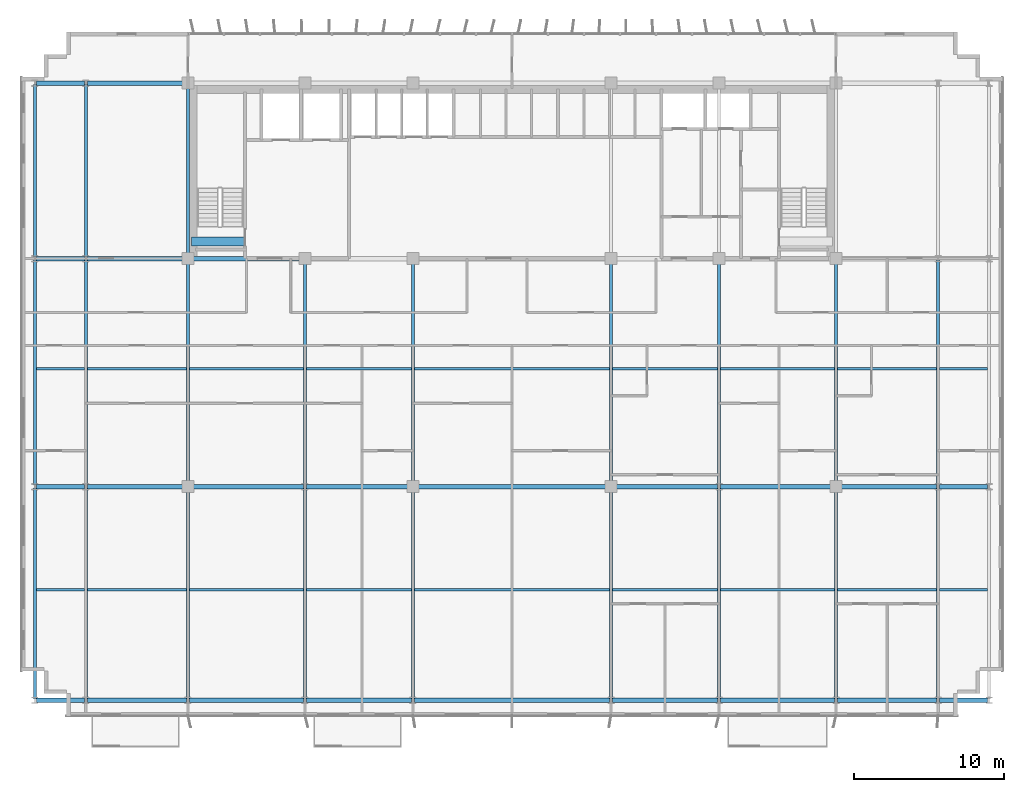
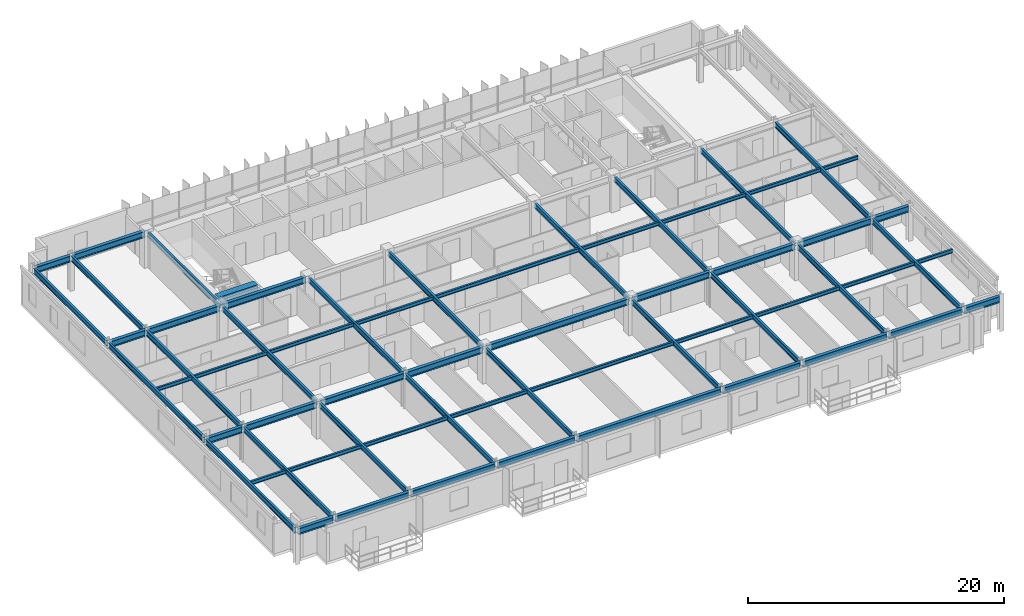
# One storey, part 4 of 21: 63 beams.
"""IFC4 building model written with IfcOpenShell, lengths in metres."""

from ifc_helpers import new_model, si_unit, direction, frame, origin, origin_2d, place, context, subcontext, project, spatial, rectangle, i_section, extrude, source, transform, mapped, material, material_profile, profile_set, type_object, element, save


model = new_model("IFC4")

# Units and contexts
model_context = context("Model", 3, precision=1e-05, world=origin(), true_north=direction((0.0, 1.0)))
body_context = subcontext(model_context, "Body", "Model", "MODEL_VIEW")
ifc_project = project(units=[si_unit("LENGTHUNIT", "METRE"), si_unit("AREAUNIT", "SQUARE_METRE"), si_unit("VOLUMEUNIT", "CUBIC_METRE"), si_unit("PLANEANGLEUNIT", "RADIAN"), si_unit("MASSUNIT", "GRAM", prefix="KILO")], contexts=[model_context])

# Site, building, storey
site_placement = place(None, origin())
site = spatial("IfcSite", under=ifc_project, at=site_placement, CompositionType="ELEMENT")
building_placement = place(site_placement, origin())
building = spatial("IfcBuilding", under=site, at=building_placement, Name="Trelvane Seafront Commons", CompositionType="ELEMENT")
storey_placement = place(building_placement, frame((0.0, 0.0, 110.5)))
storey = spatial("IfcBuildingStorey", under=building, at=storey_placement, Name="L28", CompositionType="ELEMENT", Elevation=110.5)

# Beams
ifc_material_1 = material(Name="Concrete C60/75", Category="concrete")
ifc_material_profile_1 = material_profile(ifc_material_1, rectangle(XDim=0.60009765625, YDim=0.89990234375, at=origin_2d()), Name="RC-600x900")
ifc_profile_set_1 = profile_set([ifc_material_profile_1], Name="Concrete C60/75")
beam_type_1 = type_object("IfcBeamType", Name="STR-LNT-RC600x900", PredefinedType="LINTEL", material=ifc_profile_set_1)
shared_shape_1 = source(origin(), body_context, "Body", "SweptSolid", [
    extrude(rectangle(XDim=0.60009765625, YDim=0.89990234375, at=origin_2d()), origin(), (0.0, 0.0, 1.0), 3.5498046875),
])
beam_1_placement = place(storey_placement, frame((15.85009765625, 34.550048828125, 2.889892578125), z_axis=(1.0, 0.0, 0.0), x_axis=(0.0, 1.0, 0.0)))
element("IfcBeam", 1, at=beam_1_placement, inside=storey, type_object=beam_type_1, Name="L28 Core Coupling Lintel Beam CB-85", PredefinedType="LINTEL", context=body_context, shape_type="MappedRepresentation", body=[
    mapped(shared_shape_1, transform((0.0, 0.0, 0.0), x_axis=(1.0, 0.0, 0.0), y_axis=(0.0, 1.0, 0.0), z_axis=(0.0, 0.0, 1.0), scale=1.0)),
])
ifc_material_2 = material(Name="Steel SM355 (S355)", Category="steel")
ifc_material_profile_2 = material_profile(ifc_material_2, i_section(OverallWidth=0.300048828125, OverallDepth=0.587890625, WebThickness=0.011962890625, FlangeThickness=0.02001953125, at=origin_2d()), Name="H-588x300x12x20")
ifc_profile_set_2 = profile_set([ifc_material_profile_2], Name="Steel SM355 (S355)")
beam_type_2 = type_object("IfcBeamType", Name="STR-BM-H588", PredefinedType="BEAM", material=ifc_profile_set_2)
shared_shape_2 = source(origin(), body_context, "Body", "SweptSolid", [
    extrude(i_section(OverallWidth=0.300048828125, OverallDepth=0.587890625, WebThickness=0.011962890625, FlangeThickness=0.02001953125, at=origin_2d()), origin(), (0.0, 0.0, 1.0), 7.550048828125),
])
beam_2_placement = place(storey_placement, frame((15.75, 18.199951171875, 3.0458984375), z_axis=(1.0, 0.0, 0.0), x_axis=(0.0, 1.0, 0.0)))
element("IfcBeam", 2, at=beam_2_placement, inside=storey, type_object=beam_type_2, Name="L28 Primary Girder G-12", PredefinedType="BEAM", context=body_context, shape_type="MappedRepresentation", body=[
    mapped(shared_shape_2, transform((0.0, 0.0, 0.0), x_axis=(1.0, 0.0, 0.0), y_axis=(0.0, 1.0, 0.0), z_axis=(0.0, 0.0, 1.0), scale=1.0)),
])
shared_shape_3 = source(origin(), body_context, "Body", "SweptSolid", [
    extrude(i_section(OverallWidth=0.300048828125, OverallDepth=0.587890625, WebThickness=0.011962890625, FlangeThickness=0.02001953125, at=origin_2d()), origin(), (0.0, 0.0, 1.0), 3.199951171875),
])
for number, where, z_axis, x_axis, name in (
    (3, (5.5, 3.949951171875, 3.0458984375), (1.0, 0.0, 0.0), (0.0, 1.0, 0.0), "L28 Primary Girder G-01"),
    (4, (65.699951171875, 3.949951171875, 3.0458984375), (1.0, 0.0, 0.0), (0.0, 1.0, 0.0), "L28 Primary Girder G-09"),
    (5, (5.5, 18.199951171875, 3.0458984375), (1.0, 0.0, 0.0), (0.0, 1.0, 0.0), "L28 Primary Girder G-10"),
    (6, (65.699951171875, 18.199951171875, 3.0458984375), (1.0, 0.0, 0.0), (0.0, 1.0, 0.0), "L28 Primary Girder G-18"),
    (7, (5.5, 33.39990234375, 3.0458984375), (1.0, 0.0, 0.0), (0.0, 1.0, 0.0), "L28 Primary Girder G-19"),
    (8, (5.5, 45.10009765625, 3.0458984375), (1.0, 0.0, 0.0), (0.0, 1.0, 0.0), "L28 Primary Girder G-28"),
):
    element("IfcBeam", number, at=place(storey_placement, frame(where, z_axis=z_axis, x_axis=x_axis)), inside=storey, type_object=beam_type_2, Name=name, PredefinedType="BEAM", context=body_context, shape_type="MappedRepresentation", body=[
        mapped(shared_shape_3, transform((0.0, 0.0, 0.0), x_axis=(1.0, 0.0, 0.0), y_axis=(0.0, 1.0, 0.0), z_axis=(0.0, 0.0, 1.0), scale=1.0)),
    ])
shared_shape_4 = source(origin(), body_context, "Body", "SweptSolid", [
    extrude(i_section(OverallWidth=0.300048828125, OverallDepth=0.587890625, WebThickness=0.011962890625, FlangeThickness=0.02001953125, at=origin_2d()), origin(), (0.0, 0.0, 1.0), 6.60009765625),
])
for number, where, z_axis, x_axis, name in (
    (9, (8.89990234375, 3.949951171875, 3.0458984375), (1.0, 0.0, 0.0), (0.0, 1.0, 0.0), "L28 Primary Girder G-02"),
    (10, (58.89990234375, 3.949951171875, 3.0458984375), (1.0, 0.0, 0.0), (0.0, 1.0, 0.0), "L28 Primary Girder G-08"),
):
    element("IfcBeam", number, at=place(storey_placement, frame(where, z_axis=z_axis, x_axis=x_axis)), inside=storey, type_object=beam_type_2, Name=name, PredefinedType="BEAM", context=body_context, shape_type="MappedRepresentation", body=[
        mapped(shared_shape_4, transform((0.0, 0.0, 0.0), x_axis=(1.0, 0.0, 0.0), y_axis=(0.0, 1.0, 0.0), z_axis=(0.0, 0.0, 1.0), scale=1.0)),
    ])
shared_shape_5 = source(origin(), body_context, "Body", "SweptSolid", [
    extrude(i_section(OverallWidth=0.300048828125, OverallDepth=0.587890625, WebThickness=0.011962890625, FlangeThickness=0.02001953125, at=origin_2d()), origin(), (0.0, 0.0, 1.0), 7.60009765625),
])
beam_3_placement = place(storey_placement, frame((15.699951171875, 3.949951171875, 3.0458984375), z_axis=(1.0, 0.0, 0.0), x_axis=(0.0, 1.0, 0.0)))
element("IfcBeam", 11, at=beam_3_placement, inside=storey, type_object=beam_type_2, Name="L28 Primary Girder G-03", PredefinedType="BEAM", context=body_context, shape_type="MappedRepresentation", body=[
    mapped(shared_shape_5, transform((0.0, 0.0, 0.0), x_axis=(1.0, 0.0, 0.0), y_axis=(0.0, 1.0, 0.0), z_axis=(0.0, 0.0, 1.0), scale=1.0)),
])
shared_shape_6 = source(origin(), body_context, "Body", "SweptSolid", [
    extrude(i_section(OverallWidth=0.300048828125, OverallDepth=0.587890625, WebThickness=0.011962890625, FlangeThickness=0.02001953125, at=origin_2d()), origin(), (0.0, 0.0, 1.0), 7.0),
])
for number, where, z_axis, x_axis, name in (
    (12, (23.5, 3.949951171875, 3.0458984375), (1.0, 0.0, 0.0), (0.0, 1.0, 0.0), "L28 Primary Girder G-04"),
    (13, (43.89990234375, 3.949951171875, 3.0458984375), (1.0, 0.0, 0.0), (0.0, 1.0, 0.0), "L28 Primary Girder G-06"),
):
    element("IfcBeam", number, at=place(storey_placement, frame(where, z_axis=z_axis, x_axis=x_axis)), inside=storey, type_object=beam_type_2, Name=name, PredefinedType="BEAM", context=body_context, shape_type="MappedRepresentation", body=[
        mapped(shared_shape_6, transform((0.0, 0.0, 0.0), x_axis=(1.0, 0.0, 0.0), y_axis=(0.0, 1.0, 0.0), z_axis=(0.0, 0.0, 1.0), scale=1.0)),
    ])
shared_shape_7 = source(origin(), body_context, "Body", "SweptSolid", [
    extrude(i_section(OverallWidth=0.300048828125, OverallDepth=0.587890625, WebThickness=0.011962890625, FlangeThickness=0.02001953125, at=origin_2d()), origin(), (0.0, 0.0, 1.0), 13.0),
])
beam_4_placement = place(storey_placement, frame((30.699951171875, 3.949951171875, 3.0458984375), z_axis=(1.0, 0.0, 0.0), x_axis=(0.0, 1.0, 0.0)))
element("IfcBeam", 14, at=beam_4_placement, inside=storey, type_object=beam_type_2, Name="L28 Primary Girder G-05", PredefinedType="BEAM", context=body_context, shape_type="MappedRepresentation", body=[
    mapped(shared_shape_7, transform((0.0, 0.0, 0.0), x_axis=(1.0, 0.0, 0.0), y_axis=(0.0, 1.0, 0.0), z_axis=(0.0, 0.0, 1.0), scale=1.0)),
])
shared_shape_8 = source(origin(), body_context, "Body", "SweptSolid", [
    extrude(i_section(OverallWidth=0.300048828125, OverallDepth=0.587890625, WebThickness=0.011962890625, FlangeThickness=0.02001953125, at=origin_2d()), origin(), (0.0, 0.0, 1.0), 7.599853515625),
])
beam_5_placement = place(storey_placement, frame((51.10009765625, 3.949951171875, 3.0458984375), z_axis=(1.0, 0.0, 0.0), x_axis=(0.0, 1.0, 0.0)))
element("IfcBeam", 15, at=beam_5_placement, inside=storey, type_object=beam_type_2, Name="L28 Primary Girder G-07", PredefinedType="BEAM", context=body_context, shape_type="MappedRepresentation", body=[
    mapped(shared_shape_8, transform((0.0, 0.0, 0.0), x_axis=(1.0, 0.0, 0.0), y_axis=(0.0, 1.0, 0.0), z_axis=(0.0, 0.0, 1.0), scale=1.0)),
])
shared_shape_9 = source(origin(), body_context, "Body", "SweptSolid", [
    extrude(i_section(OverallWidth=0.300048828125, OverallDepth=0.587890625, WebThickness=0.011962890625, FlangeThickness=0.02001953125, at=origin_2d()), origin(), (0.0, 0.0, 1.0), 6.550048828125),
])
for number, where, z_axis, x_axis, name in (
    (16, (8.89990234375, 18.199951171875, 3.0458984375), (1.0, 0.0, 0.0), (0.0, 1.0, 0.0), "L28 Primary Girder G-11"),
    (17, (58.949951171875, 18.199951171875, 3.0458984375), (1.0, 0.0, 0.0), (0.0, 1.0, 0.0), "L28 Primary Girder G-17"),
    (18, (8.89990234375, 33.39990234375, 3.0458984375), (1.0, 0.0, 0.0), (0.0, 1.0, 0.0), "L28 Primary Girder G-20"),
    (19, (8.89990234375, 45.10009765625, 3.0458984375), (1.0, 0.0, 0.0), (0.0, 1.0, 0.0), "L28 Primary Girder G-29"),
):
    element("IfcBeam", number, at=place(storey_placement, frame(where, z_axis=z_axis, x_axis=x_axis)), inside=storey, type_object=beam_type_2, Name=name, PredefinedType="BEAM", context=body_context, shape_type="MappedRepresentation", body=[
        mapped(shared_shape_9, transform((0.0, 0.0, 0.0), x_axis=(1.0, 0.0, 0.0), y_axis=(0.0, 1.0, 0.0), z_axis=(0.0, 0.0, 1.0), scale=1.0)),
    ])
shared_shape_10 = source(origin(), body_context, "Body", "SweptSolid", [
    extrude(i_section(OverallWidth=0.300048828125, OverallDepth=0.587890625, WebThickness=0.011962890625, FlangeThickness=0.02001953125, at=origin_2d()), origin(), (0.0, 0.0, 1.0), 6.949951171875),
])
for number, where, z_axis, x_axis, name in (
    (20, (23.5, 18.199951171875, 3.0458984375), (1.0, 0.0, 0.0), (0.0, 1.0, 0.0), "L28 Primary Girder G-13"),
    (21, (43.949951171875, 18.199951171875, 3.0458984375), (1.0, 0.0, 0.0), (0.0, 1.0, 0.0), "L28 Primary Girder G-15"),
):
    element("IfcBeam", number, at=place(storey_placement, frame(where, z_axis=z_axis, x_axis=x_axis)), inside=storey, type_object=beam_type_2, Name=name, PredefinedType="BEAM", context=body_context, shape_type="MappedRepresentation", body=[
        mapped(shared_shape_10, transform((0.0, 0.0, 0.0), x_axis=(1.0, 0.0, 0.0), y_axis=(0.0, 1.0, 0.0), z_axis=(0.0, 0.0, 1.0), scale=1.0)),
    ])
shared_shape_11 = source(origin(), body_context, "Body", "SweptSolid", [
    extrude(i_section(OverallWidth=0.300048828125, OverallDepth=0.587890625, WebThickness=0.011962890625, FlangeThickness=0.02001953125, at=origin_2d()), origin(), (0.0, 0.0, 1.0), 12.89990234375),
])
beam_6_placement = place(storey_placement, frame((30.75, 18.199951171875, 3.0458984375), z_axis=(1.0, 0.0, 0.0), x_axis=(0.0, 1.0, 0.0)))
element("IfcBeam", 22, at=beam_6_placement, inside=storey, type_object=beam_type_2, Name="L28 Primary Girder G-14", PredefinedType="BEAM", context=body_context, shape_type="MappedRepresentation", body=[
    mapped(shared_shape_11, transform((0.0, 0.0, 0.0), x_axis=(1.0, 0.0, 0.0), y_axis=(0.0, 1.0, 0.0), z_axis=(0.0, 0.0, 1.0), scale=1.0)),
])
shared_shape_12 = source(origin(), body_context, "Body", "SweptSolid", [
    extrude(i_section(OverallWidth=0.300048828125, OverallDepth=0.587890625, WebThickness=0.011962890625, FlangeThickness=0.02001953125, at=origin_2d()), origin(), (0.0, 0.0, 1.0), 7.5498046875),
])
beam_7_placement = place(storey_placement, frame((51.10009765625, 18.199951171875, 3.0458984375), z_axis=(1.0, 0.0, 0.0), x_axis=(0.0, 1.0, 0.0)))
element("IfcBeam", 23, at=beam_7_placement, inside=storey, type_object=beam_type_2, Name="L28 Primary Girder G-16", PredefinedType="BEAM", context=body_context, shape_type="MappedRepresentation", body=[
    mapped(shared_shape_12, transform((0.0, 0.0, 0.0), x_axis=(1.0, 0.0, 0.0), y_axis=(0.0, 1.0, 0.0), z_axis=(0.0, 0.0, 1.0), scale=1.0)),
])
shared_shape_13 = source(origin(), body_context, "Body", "SweptSolid", [
    extrude(i_section(OverallWidth=0.300048828125, OverallDepth=0.587890625, WebThickness=0.011962890625, FlangeThickness=0.02001953125, at=origin_2d()), origin(), (0.0, 0.0, 1.0), 7.5),
])
beam_8_placement = place(storey_placement, frame((15.75, 33.39990234375, 3.0458984375), z_axis=(1.0, 0.0, 0.0), x_axis=(0.0, 1.0, 0.0)))
element("IfcBeam", 24, at=beam_8_placement, inside=storey, type_object=beam_type_2, Name="L28 Primary Girder G-21", PredefinedType="BEAM", context=body_context, shape_type="MappedRepresentation", body=[
    mapped(shared_shape_13, transform((0.0, 0.0, 0.0), x_axis=(1.0, 0.0, 0.0), y_axis=(0.0, 1.0, 0.0), z_axis=(0.0, 0.0, 1.0), scale=1.0)),
])
ifc_material_profile_3 = material_profile(ifc_material_2, i_section(OverallWidth=0.199951171875, OverallDepth=0.5, WebThickness=0.010009765625, FlangeThickness=0.01611328125, at=origin_2d()), Name="H-500x200x10x16")
ifc_profile_set_3 = profile_set([ifc_material_profile_3], Name="Steel SM355 (S355)")
beam_type_3 = type_object("IfcBeamType", Name="STR-BM-H500", PredefinedType="BEAM", material=ifc_profile_set_3)
shared_shape_14 = source(origin(), body_context, "Body", "SweptSolid", [
    extrude(i_section(OverallWidth=0.199951171875, OverallDepth=0.5, WebThickness=0.010009765625, FlangeThickness=0.01611328125, at=origin_2d()), origin(), (0.0, 0.0, 1.0), 14.050048828125),
])
for number, where, z_axis, x_axis, name in (
    (25, (5.39990234375, 4.050048828125, 3.090087890625), (0.0, 1.0, 0.0), (-1.0, 0.0, 0.0), "L28 Primary Girder G-37"),
    (26, (8.800048828125, 4.050048828125, 3.090087890625), (0.0, 1.0, 0.0), (-1.0, 0.0, 0.0), "L28 Primary Girder G-40"),
    (27, (23.39990234375, 4.050048828125, 3.090087890625), (0.0, 1.0, 0.0), (-1.0, 0.0, 0.0), "L28 Primary Girder G-46"),
    (28, (51.0, 4.050048828125, 3.090087890625), (0.0, 1.0, 0.0), (-1.0, 0.0, 0.0), "L28 Primary Girder G-55"),
    (29, (65.60009765625, 4.050048828125, 3.090087890625), (0.0, 1.0, 0.0), (-1.0, 0.0, 0.0), "L28 Primary Girder G-61"),
):
    element("IfcBeam", number, at=place(storey_placement, frame(where, z_axis=z_axis, x_axis=x_axis)), inside=storey, type_object=beam_type_3, Name=name, PredefinedType="BEAM", context=body_context, shape_type="MappedRepresentation", body=[
        mapped(shared_shape_14, transform((0.0, 0.0, 0.0), x_axis=(1.0, 0.0, 0.0), y_axis=(0.0, 1.0, 0.0), z_axis=(0.0, 0.0, 1.0), scale=1.0)),
    ])
shared_shape_15 = source(origin(), body_context, "Body", "SweptSolid", [
    extrude(i_section(OverallWidth=0.199951171875, OverallDepth=0.5, WebThickness=0.010009765625, FlangeThickness=0.01611328125, at=origin_2d()), origin(), (0.0, 0.0, 1.0), 15.0),
])
for number, where, z_axis, x_axis, name in (
    (30, (5.39990234375, 18.300048828125, 3.090087890625), (0.0, 1.0, 0.0), (-1.0, 0.0, 0.0), "L28 Primary Girder G-38"),
    (31, (8.800048828125, 18.300048828125, 3.090087890625), (0.0, 1.0, 0.0), (-1.0, 0.0, 0.0), "L28 Primary Girder G-41"),
    (32, (65.60009765625, 18.300048828125, 3.090087890625), (0.0, 1.0, 0.0), (-1.0, 0.0, 0.0), "L28 Primary Girder G-62"),
):
    element("IfcBeam", number, at=place(storey_placement, frame(where, z_axis=z_axis, x_axis=x_axis)), inside=storey, type_object=beam_type_3, Name=name, PredefinedType="BEAM", context=body_context, shape_type="MappedRepresentation", body=[
        mapped(shared_shape_15, transform((0.0, 0.0, 0.0), x_axis=(1.0, 0.0, 0.0), y_axis=(0.0, 1.0, 0.0), z_axis=(0.0, 0.0, 1.0), scale=1.0)),
    ])
shared_shape_16 = source(origin(), body_context, "Body", "SweptSolid", [
    extrude(i_section(OverallWidth=0.199951171875, OverallDepth=0.5, WebThickness=0.010009765625, FlangeThickness=0.01611328125, at=origin_2d()), origin(), (0.0, 0.0, 1.0), 11.5),
])
for number, where, z_axis, x_axis, name in (
    (33, (5.39990234375, 33.5, 3.090087890625), (0.0, 1.0, 0.0), (-1.0, 0.0, 0.0), "L28 Primary Girder G-39"),
    (34, (8.800048828125, 33.5, 3.090087890625), (0.0, 1.0, 0.0), (-1.0, 0.0, 0.0), "L28 Primary Girder G-42"),
):
    element("IfcBeam", number, at=place(storey_placement, frame(where, z_axis=z_axis, x_axis=x_axis)), inside=storey, type_object=beam_type_3, Name=name, PredefinedType="BEAM", context=body_context, shape_type="MappedRepresentation", body=[
        mapped(shared_shape_16, transform((0.0, 0.0, 0.0), x_axis=(1.0, 0.0, 0.0), y_axis=(0.0, 1.0, 0.0), z_axis=(0.0, 0.0, 1.0), scale=1.0)),
    ])
shared_shape_17 = source(origin(), body_context, "Body", "SweptSolid", [
    extrude(i_section(OverallWidth=0.199951171875, OverallDepth=0.5, WebThickness=0.010009765625, FlangeThickness=0.01611328125, at=origin_2d()), origin(), (0.0, 0.0, 1.0), 14.0),
])
for number, where, z_axis, x_axis, name in (
    (35, (15.60009765625, 4.050048828125, 3.090087890625), (0.0, 1.0, 0.0), (-1.0, 0.0, 0.0), "L28 Primary Girder G-43"),
    (36, (30.60009765625, 4.050048828125, 3.090087890625), (0.0, 1.0, 0.0), (-1.0, 0.0, 0.0), "L28 Primary Girder G-49"),
    (37, (43.800048828125, 4.050048828125, 3.090087890625), (0.0, 1.0, 0.0), (-1.0, 0.0, 0.0), "L28 Primary Girder G-52"),
    (38, (58.800048828125, 4.050048828125, 3.090087890625), (0.0, 1.0, 0.0), (-1.0, 0.0, 0.0), "L28 Primary Girder G-58"),
):
    element("IfcBeam", number, at=place(storey_placement, frame(where, z_axis=z_axis, x_axis=x_axis)), inside=storey, type_object=beam_type_3, Name=name, PredefinedType="BEAM", context=body_context, shape_type="MappedRepresentation", body=[
        mapped(shared_shape_17, transform((0.0, 0.0, 0.0), x_axis=(1.0, 0.0, 0.0), y_axis=(0.0, 1.0, 0.0), z_axis=(0.0, 0.0, 1.0), scale=1.0)),
    ])
shared_shape_18 = source(origin(), body_context, "Body", "SweptSolid", [
    extrude(i_section(OverallWidth=0.199951171875, OverallDepth=0.5, WebThickness=0.010009765625, FlangeThickness=0.01611328125, at=origin_2d()), origin(), (0.0, 0.0, 1.0), 14.89990234375),
])
for number, where, z_axis, x_axis, name in (
    (39, (15.60009765625, 18.35009765625, 3.090087890625), (0.0, 1.0, 0.0), (-1.0, 0.0, 0.0), "L28 Primary Girder G-44"),
    (40, (30.60009765625, 18.35009765625, 3.090087890625), (0.0, 1.0, 0.0), (-1.0, 0.0, 0.0), "L28 Primary Girder G-50"),
    (41, (43.800048828125, 18.35009765625, 3.090087890625), (0.0, 1.0, 0.0), (-1.0, 0.0, 0.0), "L28 Primary Girder G-53"),
    (42, (58.800048828125, 18.35009765625, 3.090087890625), (0.0, 1.0, 0.0), (-1.0, 0.0, 0.0), "L28 Primary Girder G-59"),
):
    element("IfcBeam", number, at=place(storey_placement, frame(where, z_axis=z_axis, x_axis=x_axis)), inside=storey, type_object=beam_type_3, Name=name, PredefinedType="BEAM", context=body_context, shape_type="MappedRepresentation", body=[
        mapped(shared_shape_18, transform((0.0, 0.0, 0.0), x_axis=(1.0, 0.0, 0.0), y_axis=(0.0, 1.0, 0.0), z_axis=(0.0, 0.0, 1.0), scale=1.0)),
    ])
shared_shape_19 = source(origin(), body_context, "Body", "SweptSolid", [
    extrude(i_section(OverallWidth=0.199951171875, OverallDepth=0.5, WebThickness=0.010009765625, FlangeThickness=0.01611328125, at=origin_2d()), origin(), (0.0, 0.0, 1.0), 11.39990234375),
])
beam_9_placement = place(storey_placement, frame((15.60009765625, 33.550048828125, 3.090087890625), z_axis=(0.0, 1.0, 0.0), x_axis=(-1.0, 0.0, 0.0)))
element("IfcBeam", 43, at=beam_9_placement, inside=storey, type_object=beam_type_3, Name="L28 Primary Girder G-45", PredefinedType="BEAM", context=body_context, shape_type="MappedRepresentation", body=[
    mapped(shared_shape_19, transform((0.0, 0.0, 0.0), x_axis=(1.0, 0.0, 0.0), y_axis=(0.0, 1.0, 0.0), z_axis=(0.0, 0.0, 1.0), scale=1.0)),
])
shared_shape_20 = source(origin(), body_context, "Body", "SweptSolid", [
    extrude(i_section(OverallWidth=0.199951171875, OverallDepth=0.5, WebThickness=0.010009765625, FlangeThickness=0.01611328125, at=origin_2d()), origin(), (0.0, 0.0, 1.0), 14.949951171875),
])
for number, where, z_axis, x_axis, name in (
    (44, (23.39990234375, 18.300048828125, 3.090087890625), (0.0, 1.0, 0.0), (-1.0, 0.0, 0.0), "L28 Primary Girder G-47"),
    (45, (51.0, 18.300048828125, 3.090087890625), (0.0, 1.0, 0.0), (-1.0, 0.0, 0.0), "L28 Primary Girder G-56"),
):
    element("IfcBeam", number, at=place(storey_placement, frame(where, z_axis=z_axis, x_axis=x_axis)), inside=storey, type_object=beam_type_3, Name=name, PredefinedType="BEAM", context=body_context, shape_type="MappedRepresentation", body=[
        mapped(shared_shape_20, transform((0.0, 0.0, 0.0), x_axis=(1.0, 0.0, 0.0), y_axis=(0.0, 1.0, 0.0), z_axis=(0.0, 0.0, 1.0), scale=1.0)),
    ])
ifc_material_profile_4 = material_profile(ifc_material_2, i_section(OverallWidth=0.175048828125, OverallDepth=0.35009765625, WebThickness=0.007080078125, FlangeThickness=0.010986328125, at=origin_2d()), Name="H-350x175x7x11")
ifc_profile_set_4 = profile_set([ifc_material_profile_4], Name="Steel SM355 (S355)")
beam_type_4 = type_object("IfcBeamType", Name="STR-JST-H350", PredefinedType="JOIST", material=ifc_profile_set_4)
shared_shape_21 = source(origin(), body_context, "Body", "SweptSolid", [
    extrude(i_section(OverallWidth=0.175048828125, OverallDepth=0.35009765625, WebThickness=0.007080078125, FlangeThickness=0.010986328125, at=origin_2d()), origin(), (0.0, 0.0, 1.0), 3.199951171875),
])
for number, where, z_axis, x_axis, name in (
    (46, (5.5, 11.324951171875, 3.1650390625), (1.0, 0.0, 0.0), (0.0, 1.0, 0.0), "L28 Secondary Floor Joist B-67"),
    (47, (65.699951171875, 11.324951171875, 3.1650390625), (1.0, 0.0, 0.0), (0.0, 1.0, 0.0), "L28 Secondary Floor Joist B-75"),
    (48, (5.5, 26.050048828125, 3.1650390625), (1.0, 0.0, 0.0), (0.0, 1.0, 0.0), "L28 Secondary Floor Joist B-76"),
    (49, (65.699951171875, 26.050048828125, 3.1650390625), (1.0, 0.0, 0.0), (0.0, 1.0, 0.0), "L28 Secondary Floor Joist B-84"),
):
    element("IfcBeam", number, at=place(storey_placement, frame(where, z_axis=z_axis, x_axis=x_axis)), inside=storey, type_object=beam_type_4, Name=name, PredefinedType="JOIST", context=body_context, shape_type="MappedRepresentation", body=[
        mapped(shared_shape_21, transform((0.0, 0.0, 0.0), x_axis=(1.0, 0.0, 0.0), y_axis=(0.0, 1.0, 0.0), z_axis=(0.0, 0.0, 1.0), scale=1.0)),
    ])
shared_shape_22 = source(origin(), body_context, "Body", "SweptSolid", [
    extrude(i_section(OverallWidth=0.175048828125, OverallDepth=0.35009765625, WebThickness=0.007080078125, FlangeThickness=0.010986328125, at=origin_2d()), origin(), (0.0, 0.0, 1.0), 6.60009765625),
])
for number, where, z_axis, x_axis, name in (
    (50, (8.89990234375, 11.324951171875, 3.1650390625), (1.0, 0.0, 0.0), (0.0, 1.0, 0.0), "L28 Secondary Floor Joist B-68"),
    (51, (58.89990234375, 11.324951171875, 3.1650390625), (1.0, 0.0, 0.0), (0.0, 1.0, 0.0), "L28 Secondary Floor Joist B-74"),
    (52, (8.89990234375, 26.050048828125, 3.1650390625), (1.0, 0.0, 0.0), (0.0, 1.0, 0.0), "L28 Secondary Floor Joist B-77"),
    (53, (58.89990234375, 26.050048828125, 3.1650390625), (1.0, 0.0, 0.0), (0.0, 1.0, 0.0), "L28 Secondary Floor Joist B-83"),
):
    element("IfcBeam", number, at=place(storey_placement, frame(where, z_axis=z_axis, x_axis=x_axis)), inside=storey, type_object=beam_type_4, Name=name, PredefinedType="JOIST", context=body_context, shape_type="MappedRepresentation", body=[
        mapped(shared_shape_22, transform((0.0, 0.0, 0.0), x_axis=(1.0, 0.0, 0.0), y_axis=(0.0, 1.0, 0.0), z_axis=(0.0, 0.0, 1.0), scale=1.0)),
    ])
shared_shape_23 = source(origin(), body_context, "Body", "SweptSolid", [
    extrude(i_section(OverallWidth=0.175048828125, OverallDepth=0.35009765625, WebThickness=0.007080078125, FlangeThickness=0.010986328125, at=origin_2d()), origin(), (0.0, 0.0, 1.0), 7.60009765625),
])
for number, where, z_axis, x_axis, name in (
    (54, (15.699951171875, 11.324951171875, 3.1650390625), (1.0, 0.0, 0.0), (0.0, 1.0, 0.0), "L28 Secondary Floor Joist B-69"),
    (55, (15.699951171875, 26.050048828125, 3.1650390625), (1.0, 0.0, 0.0), (0.0, 1.0, 0.0), "L28 Secondary Floor Joist B-78"),
):
    element("IfcBeam", number, at=place(storey_placement, frame(where, z_axis=z_axis, x_axis=x_axis)), inside=storey, type_object=beam_type_4, Name=name, PredefinedType="JOIST", context=body_context, shape_type="MappedRepresentation", body=[
        mapped(shared_shape_23, transform((0.0, 0.0, 0.0), x_axis=(1.0, 0.0, 0.0), y_axis=(0.0, 1.0, 0.0), z_axis=(0.0, 0.0, 1.0), scale=1.0)),
    ])
shared_shape_24 = source(origin(), body_context, "Body", "SweptSolid", [
    extrude(i_section(OverallWidth=0.175048828125, OverallDepth=0.35009765625, WebThickness=0.007080078125, FlangeThickness=0.010986328125, at=origin_2d()), origin(), (0.0, 0.0, 1.0), 7.0),
])
for number, where, z_axis, x_axis, name in (
    (56, (23.5, 11.324951171875, 3.1650390625), (1.0, 0.0, 0.0), (0.0, 1.0, 0.0), "L28 Secondary Floor Joist B-70"),
    (57, (43.89990234375, 11.324951171875, 3.1650390625), (1.0, 0.0, 0.0), (0.0, 1.0, 0.0), "L28 Secondary Floor Joist B-72"),
    (58, (23.5, 26.050048828125, 3.1650390625), (1.0, 0.0, 0.0), (0.0, 1.0, 0.0), "L28 Secondary Floor Joist B-79"),
    (59, (43.89990234375, 26.050048828125, 3.1650390625), (1.0, 0.0, 0.0), (0.0, 1.0, 0.0), "L28 Secondary Floor Joist B-81"),
):
    element("IfcBeam", number, at=place(storey_placement, frame(where, z_axis=z_axis, x_axis=x_axis)), inside=storey, type_object=beam_type_4, Name=name, PredefinedType="JOIST", context=body_context, shape_type="MappedRepresentation", body=[
        mapped(shared_shape_24, transform((0.0, 0.0, 0.0), x_axis=(1.0, 0.0, 0.0), y_axis=(0.0, 1.0, 0.0), z_axis=(0.0, 0.0, 1.0), scale=1.0)),
    ])
shared_shape_25 = source(origin(), body_context, "Body", "SweptSolid", [
    extrude(i_section(OverallWidth=0.175048828125, OverallDepth=0.35009765625, WebThickness=0.007080078125, FlangeThickness=0.010986328125, at=origin_2d()), origin(), (0.0, 0.0, 1.0), 13.0),
])
for number, where, z_axis, x_axis, name in (
    (60, (30.699951171875, 11.324951171875, 3.1650390625), (1.0, 0.0, 0.0), (0.0, 1.0, 0.0), "L28 Secondary Floor Joist B-71"),
    (61, (30.699951171875, 26.050048828125, 3.1650390625), (1.0, 0.0, 0.0), (0.0, 1.0, 0.0), "L28 Secondary Floor Joist B-80"),
):
    element("IfcBeam", number, at=place(storey_placement, frame(where, z_axis=z_axis, x_axis=x_axis)), inside=storey, type_object=beam_type_4, Name=name, PredefinedType="JOIST", context=body_context, shape_type="MappedRepresentation", body=[
        mapped(shared_shape_25, transform((0.0, 0.0, 0.0), x_axis=(1.0, 0.0, 0.0), y_axis=(0.0, 1.0, 0.0), z_axis=(0.0, 0.0, 1.0), scale=1.0)),
    ])
shared_shape_26 = source(origin(), body_context, "Body", "SweptSolid", [
    extrude(i_section(OverallWidth=0.175048828125, OverallDepth=0.35009765625, WebThickness=0.007080078125, FlangeThickness=0.010986328125, at=origin_2d()), origin(), (0.0, 0.0, 1.0), 7.599853515625),
])
for number, where, z_axis, x_axis, name in (
    (62, (51.10009765625, 11.324951171875, 3.1650390625), (1.0, 0.0, 0.0), (0.0, 1.0, 0.0), "L28 Secondary Floor Joist B-73"),
    (63, (51.10009765625, 26.050048828125, 3.1650390625), (1.0, 0.0, 0.0), (0.0, 1.0, 0.0), "L28 Secondary Floor Joist B-82"),
):
    element("IfcBeam", number, at=place(storey_placement, frame(where, z_axis=z_axis, x_axis=x_axis)), inside=storey, type_object=beam_type_4, Name=name, PredefinedType="JOIST", context=body_context, shape_type="MappedRepresentation", body=[
        mapped(shared_shape_26, transform((0.0, 0.0, 0.0), x_axis=(1.0, 0.0, 0.0), y_axis=(0.0, 1.0, 0.0), z_axis=(0.0, 0.0, 1.0), scale=1.0)),
    ])

save(model, "model.ifc")
